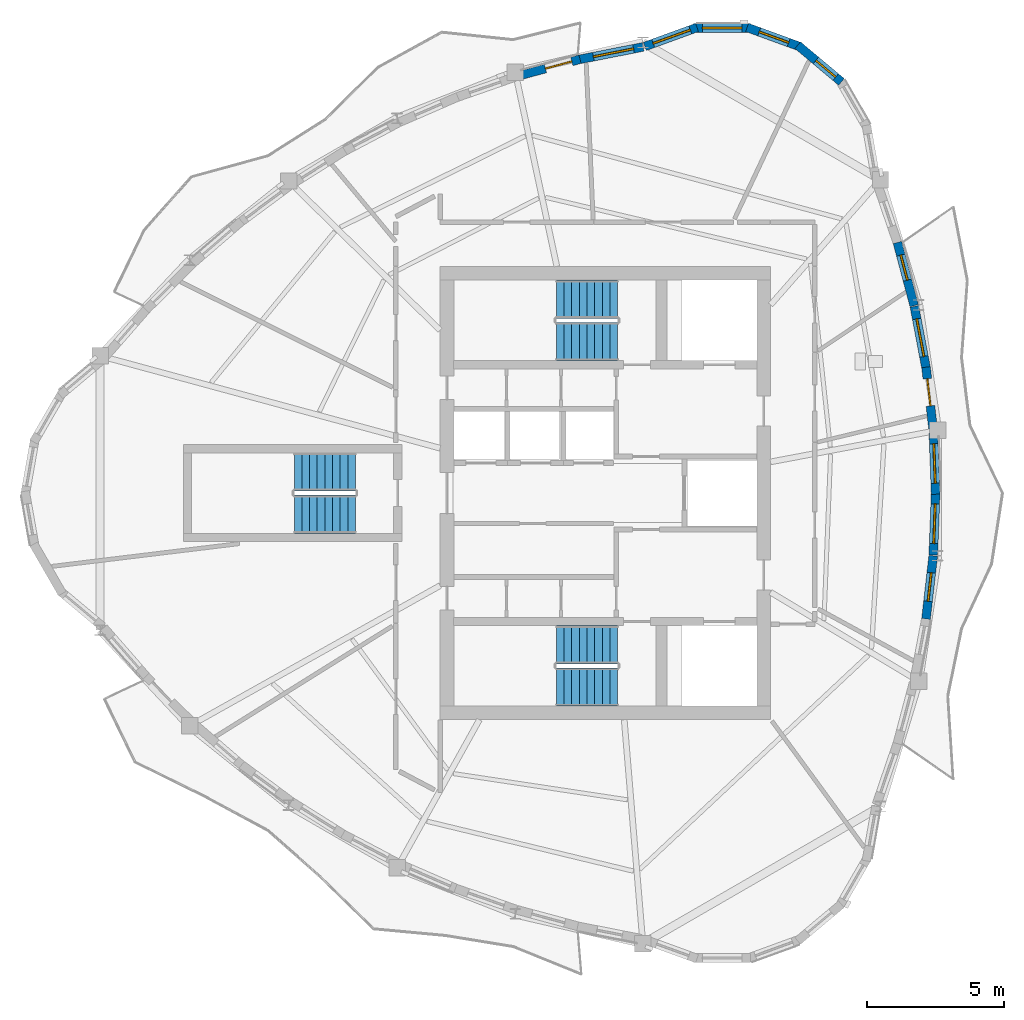
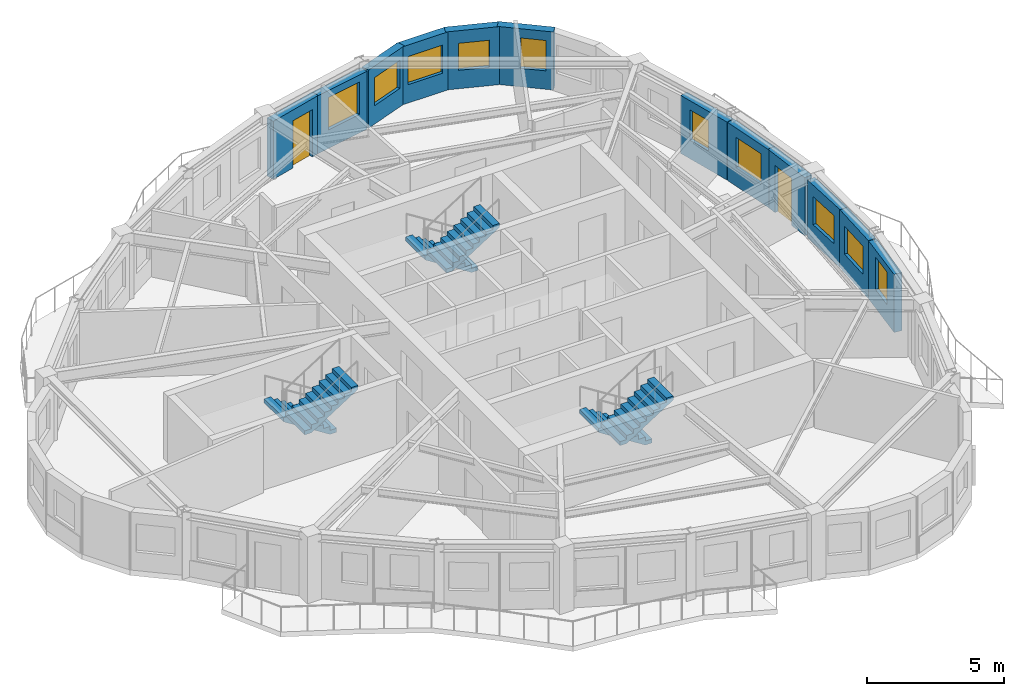
# One storey, part 7 of 11: 12 walls, 10 windows, 6 stair flights, 2 doors, 12 openings, 3 elements without a shape of their own.
"""IFC4 building model written with IfcOpenShell, lengths in metres."""

from ifc_helpers import new_model, si_unit, direction, frame, frame_2d, origin, place, context, subcontext, project, spatial, polyline, rectangle, outline, extrude, source, transform, mapped, material, layer, layer_set, type_object, element, fill, aggregate, save


model = new_model("IFC4")

# Units and contexts
model_context = context("Model", 3, precision=1e-05, world=origin(), true_north=direction((0.0, 1.0)))
body_context = subcontext(model_context, "Body", "Model", "MODEL_VIEW")
ifc_project = project(units=[si_unit("LENGTHUNIT", "METRE"), si_unit("AREAUNIT", "SQUARE_METRE"), si_unit("VOLUMEUNIT", "CUBIC_METRE"), si_unit("PLANEANGLEUNIT", "RADIAN"), si_unit("MASSUNIT", "GRAM", prefix="KILO")], contexts=[model_context])

# Site, building, storey
site_placement = place(None, origin())
site = spatial("IfcSite", under=ifc_project, at=site_placement, CompositionType="ELEMENT")
building_placement = place(site_placement, origin())
building = spatial("IfcBuilding", under=site, at=building_placement, Name="Qafzar Sky-Pleat Residences", CompositionType="ELEMENT")
storey_placement = place(building_placement, frame((0.0, 0.0, 218.0)))
storey = spatial("IfcBuildingStorey", under=building, at=storey_placement, Name="L65", CompositionType="ELEMENT", Elevation=218.0)

# Wall, opening, window
ifc_material_1 = material(Name="Precast concrete C40/50 with honed Riyadh limestone", Category="concrete")
ifc_layer = layer(ifc_material_1, 0.320068359375)
ifc_layer_set = layer_set([ifc_layer], Name="Precast concrete C40/50 with honed Riyadh limestone")
wall_type = type_object("IfcWallType", Name="WALL-EXT-320", PredefinedType="SOLIDWALL", material=ifc_layer_set)
wall_1_placement = place(storey_placement, frame((42.093017578125, 21.390380859375, 0.0), z_axis=(0.0, 0.0, 1.0), x_axis=(0.113262644001, 0.993565082656, 0.0)))
wall_1 = element("IfcWall", 1, at=wall_1_placement, inside=storey, type_object=wall_type, Name="L65 Limestone Facade Wall 26", PredefinedType="SOLIDWALL", context=body_context, shape_type="SweptSolid", body=[
    extrude(rectangle(XDim=2.327880859375, YDim=0.320068359375, at=frame_2d((1.1640625, 0.0))), origin(), (0.0, 0.0, 1.0), 2.580078125),
])
opening_1_placement = place(wall_1_placement, frame((0.64892578125, 0.0, 0.820068359375)))
opening_1 = element("IfcOpeningElement", 2, at=opening_1_placement, cuts=wall_1, Name="Opening WN-06", PredefinedType="OPENING", context=body_context, shape_type="SweptSolid", body=[
    extrude(rectangle(XDim=1.050048828125, YDim=1.449951171875, at=frame_2d((0.52490234375, 0.72509765625))), frame((0.0, 0.169921875, 0.0), z_axis=(0.0, -1.0, 0.0), x_axis=(1.0, 0.0, 0.0)), (0.0, 0.0, 1.0), 0.340087890625),
])
ifc_material_2 = material(Name="Solar-control low-E glass in bronze aluminium frame", Category="glass")
window_type_1 = type_object("IfcWindowType", Name="WIN-06", PartitioningType="SINGLE_PANEL", PredefinedType="WINDOW", material=ifc_material_2)
shared_shape_1 = source(origin(), body_context, "Body", "SweptSolid", [
    extrude(rectangle(XDim=1.050048828125, YDim=1.449951171875, at=frame_2d((0.52490234375, 0.72509765625))), frame((0.0, 0.030029296875, 0.0), z_axis=(0.0, -1.0, 0.0), x_axis=(1.0, 0.0, 0.0)), (0.0, 0.0, 1.0), 0.06005859375),
])
window_1_placement = place(opening_1_placement, origin())
window_1 = element("IfcWindow", 3, at=window_1_placement, inside=storey, type_object=window_type_1, Name="L65 Punched Facade Window 26", OverallHeight=1.449951171875, OverallWidth=1.050048828125, PartitioningType="SINGLE_PANEL", PredefinedType="WINDOW", context=body_context, shape_type="MappedRepresentation", body=[
    mapped(shared_shape_1, transform((0.0, 0.0, 0.0), x_axis=(1.0, 0.0, 0.0), y_axis=(0.0, 1.0, 0.0), z_axis=(0.0, 0.0, 1.0), scale=1.0)),
])
fill(opening_1, window_1)

wall_2_placement = place(storey_placement, frame((42.35888671875, 23.731201171875, 0.0), z_axis=(0.0, 0.0, 1.0), x_axis=(0.037975332386, 0.999278676912, 0.0)))
wall_2 = element("IfcWall", 4, at=wall_2_placement, inside=storey, type_object=wall_type, Name="L65 Limestone Facade Wall 27", PredefinedType="SOLIDWALL", context=body_context, shape_type="SweptSolid", body=[
    extrude(rectangle(XDim=2.314453125, YDim=0.320068359375, at=frame_2d((1.1572265625, 0.0))), origin(), (0.0, 0.0, 1.0), 2.580078125),
])
opening_2_placement = place(wall_2_placement, frame((0.42236328125, 0.0, 0.820068359375)))
opening_2 = element("IfcOpeningElement", 5, at=opening_2_placement, cuts=wall_2, Name="Opening WN-15", PredefinedType="OPENING", context=body_context, shape_type="SweptSolid", body=[
    extrude(rectangle(XDim=1.449951171875, YDim=1.25, at=frame_2d((0.72509765625, 0.625))), frame((0.0, 0.169921875, 0.0), z_axis=(0.0, -1.0, 0.0), x_axis=(1.0, 0.0, 0.0)), (0.0, 0.0, 1.0), 0.340087890625),
])
window_type_2 = type_object("IfcWindowType", Name="WIN-15", PartitioningType="SINGLE_PANEL", PredefinedType="WINDOW", material=ifc_material_2)
shared_shape_2 = source(origin(), body_context, "Body", "SweptSolid", [
    extrude(rectangle(XDim=1.449951171875, YDim=1.25, at=frame_2d((0.72509765625, 0.625))), frame((0.0, 0.030029296875, 0.0), z_axis=(0.0, -1.0, 0.0), x_axis=(1.0, 0.0, 0.0)), (0.0, 0.0, 1.0), 0.06005859375),
])
window_2_placement = place(opening_2_placement, origin())
window_2 = element("IfcWindow", 6, at=window_2_placement, inside=storey, type_object=window_type_2, Name="L65 Punched Facade Window 27", OverallHeight=1.25, OverallWidth=1.449951171875, PartitioningType="SINGLE_PANEL", PredefinedType="WINDOW", context=body_context, shape_type="MappedRepresentation", body=[
    mapped(shared_shape_2, transform((0.0, 0.0, 0.0), x_axis=(1.0, 0.0, 0.0), y_axis=(0.0, 1.0, 0.0), z_axis=(0.0, 0.0, 1.0), scale=1.0)),
])
fill(opening_2, window_2)

wall_3_placement = place(storey_placement, frame((42.44677734375, 25.9560546875, 0.0), z_axis=(0.0, 0.0, 1.0), x_axis=(-0.037961080573, 0.999279218418, 0.0)))
wall_3 = element("IfcWall", 7, at=wall_3_placement, inside=storey, type_object=wall_type, Name="L65 Limestone Facade Wall 28", PredefinedType="SOLIDWALL", context=body_context, shape_type="SweptSolid", body=[
    extrude(rectangle(XDim=2.24462890625, YDim=0.320068359375, at=frame_2d((1.122314453125, 0.0))), origin(), (0.0, 0.0, 1.0), 2.580078125),
])
opening_3_placement = place(wall_3_placement, frame((0.40234375, 0.0, 0.820068359375)))
opening_3 = element("IfcOpeningElement", 8, at=opening_3_placement, cuts=wall_3, Name="Opening WN-15", PredefinedType="OPENING", context=body_context, shape_type="SweptSolid", body=[
    extrude(rectangle(XDim=1.449951171875, YDim=1.25, at=frame_2d((0.72509765625, 0.625))), frame((0.0, 0.169921875, 0.0), z_axis=(0.0, -1.0, 0.0), x_axis=(1.0, 0.0, 0.0)), (0.0, 0.0, 1.0), 0.340087890625),
])
window_3_placement = place(opening_3_placement, origin())
window_3 = element("IfcWindow", 9, at=window_3_placement, inside=storey, type_object=window_type_2, Name="L65 Punched Facade Window 28", OverallHeight=1.25, OverallWidth=1.449951171875, PartitioningType="SINGLE_PANEL", PredefinedType="WINDOW", context=body_context, shape_type="MappedRepresentation", body=[
    mapped(shared_shape_2, transform((0.0, 0.0, 0.0), x_axis=(1.0, 0.0, 0.0), y_axis=(0.0, 1.0, 0.0), z_axis=(0.0, 0.0, 1.0), scale=1.0)),
])
fill(opening_3, window_3)

# Wall, opening, door
wall_4_placement = place(storey_placement, frame((42.348876953125, 28.3662109375, 0.0), z_axis=(0.0, 0.0, 1.0), x_axis=(-0.113314829757, 0.99355913229, 0.0)))
wall_4 = element("IfcWall", 10, at=wall_4_placement, inside=storey, type_object=wall_type, Name="L65 Limestone Facade Wall 29", PredefinedType="SOLIDWALL", context=body_context, shape_type="SweptSolid", body=[
    extrude(rectangle(XDim=2.258056640625, YDim=0.320068359375, at=frame_2d((1.12890625, 0.0))), origin(), (0.0, 0.0, 1.0), 2.580078125),
])
opening_4_placement = place(wall_4_placement, frame((0.830322265625, 0.0, 0.0)))
opening_4 = element("IfcOpeningElement", 11, at=opening_4_placement, cuts=wall_4, Name="Opening ED-05", PredefinedType="OPENING", context=body_context, shape_type="SweptSolid", body=[
    extrude(rectangle(XDim=1.0, YDim=2.10009765625, at=frame_2d((0.5, 1.050048828125))), frame((0.0, 0.169921875, 0.0), z_axis=(0.0, -1.0, 0.0), x_axis=(1.0, 0.0, 0.0)), (0.0, 0.0, 1.0), 0.340087890625),
])
ifc_material_3 = material(Name="Glazed bronze aluminium door", Category="aluminium")
door_type = type_object("IfcDoorType", Name="DR-BAL-1000", OperationType="NOTDEFINED", PredefinedType="DOOR", material=ifc_material_3)
shared_shape_3 = source(origin(), body_context, "Body", "SweptSolid", [
    extrude(rectangle(XDim=1.0, YDim=2.10009765625, at=frame_2d((0.5, 1.050048828125))), frame((0.0, 0.02490234375, 0.0), z_axis=(0.0, -1.0, 0.0), x_axis=(1.0, 0.0, 0.0)), (0.0, 0.0, 1.0), 0.050048828125),
])
door_1_placement = place(opening_4_placement, origin())
door_1 = element("IfcDoor", 12, at=door_1_placement, inside=storey, type_object=door_type, Name="L65 Glazed Balcony Door 1", OperationType="SINGLE_SWING_LEFT", OverallHeight=2.10009765625, OverallWidth=1.0, PredefinedType="DOOR", context=body_context, shape_type="MappedRepresentation", body=[
    mapped(shared_shape_3, transform((0.0, 0.0, 0.0), x_axis=(1.0, 0.0, 0.0), y_axis=(0.0, 1.0, 0.0), z_axis=(0.0, 0.0, 1.0), scale=1.0)),
])
fill(opening_4, door_1)

# Wall, opening, window
wall_5_placement = place(storey_placement, frame((42.106201171875, 30.522705078125, 0.0), z_axis=(0.0, 0.0, 1.0), x_axis=(-0.186673658051, 0.982421979289, 0.0)))
wall_5 = element("IfcWall", 13, at=wall_5_placement, inside=storey, type_object=wall_type, Name="L65 Limestone Facade Wall 30", PredefinedType="SOLIDWALL", context=body_context, shape_type="SweptSolid", body=[
    extrude(rectangle(XDim=2.35400390625, YDim=0.320068359375, at=frame_2d((1.177001953125, 0.0))), origin(), (0.0, 0.0, 1.0), 2.580078125),
])
opening_5_placement = place(wall_5_placement, frame((0.487060546875, 0.0, 0.820068359375)))
opening_5 = element("IfcOpeningElement", 14, at=opening_5_placement, cuts=wall_5, Name="Opening WN-10", PredefinedType="OPENING", context=body_context, shape_type="SweptSolid", body=[
    extrude(rectangle(XDim=1.39990234375, YDim=1.35009765625, at=frame_2d((0.699951171875, 0.675048828125))), frame((0.0, 0.169921875, 0.0), z_axis=(0.0, -1.0, 0.0), x_axis=(1.0, 0.0, 0.0)), (0.0, 0.0, 1.0), 0.340087890625),
])
window_type_3 = type_object("IfcWindowType", Name="WIN-10", PartitioningType="SINGLE_PANEL", PredefinedType="WINDOW", material=ifc_material_2)
shared_shape_4 = source(origin(), body_context, "Body", "SweptSolid", [
    extrude(rectangle(XDim=1.39990234375, YDim=1.35009765625, at=frame_2d((0.699951171875, 0.675048828125))), frame((0.0, 0.030029296875, 0.0), z_axis=(0.0, -1.0, 0.0), x_axis=(1.0, 0.0, 0.0)), (0.0, 0.0, 1.0), 0.06005859375),
])
window_4_placement = place(opening_5_placement, origin())
window_4 = element("IfcWindow", 15, at=window_4_placement, inside=storey, type_object=window_type_3, Name="L65 Punched Facade Window 30", OverallHeight=1.35009765625, OverallWidth=1.39990234375, PartitioningType="SINGLE_PANEL", PredefinedType="WINDOW", context=body_context, shape_type="MappedRepresentation", body=[
    mapped(shared_shape_4, transform((0.0, 0.0, 0.0), x_axis=(1.0, 0.0, 0.0), y_axis=(0.0, 1.0, 0.0), z_axis=(0.0, 0.0, 1.0), scale=1.0)),
])
fill(opening_5, window_4)

wall_6_placement = place(storey_placement, frame((41.660400390625, 32.863037109375, 0.0), z_axis=(0.0, 0.0, 1.0), x_axis=(-0.257008511659, 0.966409139513, 0.0)))
wall_6 = element("IfcWall", 16, at=wall_6_placement, inside=storey, type_object=wall_type, Name="L65 Limestone Facade Wall 31", PredefinedType="SOLIDWALL", context=body_context, shape_type="SweptSolid", body=[
    extrude(rectangle(XDim=2.392822265625, YDim=0.320068359375, at=frame_2d((1.1962890625, 0.0))), origin(), (0.0, 0.0, 1.0), 2.580078125),
])
opening_6_placement = place(wall_6_placement, frame((0.964599609375, 0.0, 0.820068359375)))
opening_6 = element("IfcOpeningElement", 17, at=opening_6_placement, cuts=wall_6, Name="Opening WN-12", PredefinedType="OPENING", context=body_context, shape_type="SweptSolid", body=[
    extrude(rectangle(XDim=0.949951171875, YDim=1.35009765625, at=frame_2d((0.47509765625, 0.675048828125))), frame((0.0, 0.169921875, 0.0), z_axis=(0.0, -1.0, 0.0), x_axis=(1.0, 0.0, 0.0)), (0.0, 0.0, 1.0), 0.340087890625),
])
window_type_4 = type_object("IfcWindowType", Name="WIN-12", PartitioningType="SINGLE_PANEL", PredefinedType="WINDOW", material=ifc_material_2)
shared_shape_5 = source(origin(), body_context, "Body", "SweptSolid", [
    extrude(rectangle(XDim=0.949951171875, YDim=1.35009765625, at=frame_2d((0.47509765625, 0.675048828125))), frame((0.0, 0.030029296875, 0.0), z_axis=(0.0, -1.0, 0.0), x_axis=(1.0, 0.0, 0.0)), (0.0, 0.0, 1.0), 0.06005859375),
])
window_5_placement = place(opening_6_placement, origin())
window_5 = element("IfcWindow", 18, at=window_5_placement, inside=storey, type_object=window_type_4, Name="L65 Punched Facade Window 31-2", OverallHeight=1.35009765625, OverallWidth=0.949951171875, PartitioningType="SINGLE_PANEL", PredefinedType="WINDOW", context=body_context, shape_type="MappedRepresentation", body=[
    mapped(shared_shape_5, transform((0.0, 0.0, 0.0), x_axis=(1.0, 0.0, 0.0), y_axis=(0.0, 1.0, 0.0), z_axis=(0.0, 0.0, 1.0), scale=1.0)),
])
fill(opening_6, window_5)

wall_7_placement = place(storey_placement, frame((38.994384765625, 41.055908203125, 0.0), z_axis=(0.0, 0.0, 1.0), x_axis=(-0.766024572719, 0.642811289563, 0.0)))
wall_7 = element("IfcWall", 19, at=wall_7_placement, inside=storey, type_object=wall_type, Name="L65 Limestone Facade Wall 35", PredefinedType="SOLIDWALL", context=body_context, shape_type="SweptSolid", body=[
    extrude(rectangle(XDim=2.09033203125, YDim=0.320068359375, at=frame_2d((1.045166015625, 0.0))), origin(), (0.0, 0.0, 1.0), 2.580078125),
])
opening_7_placement = place(wall_7_placement, frame((0.2705078125, 0.0, 0.820068359375)))
opening_7 = element("IfcOpeningElement", 20, at=opening_7_placement, cuts=wall_7, Name="Opening WN-12", PredefinedType="OPENING", context=body_context, shape_type="SweptSolid", body=[
    extrude(rectangle(XDim=0.949951171875, YDim=1.35009765625, at=frame_2d((0.47509765625, 0.675048828125))), frame((0.0, 0.169921875, 0.0), z_axis=(0.0, -1.0, 0.0), x_axis=(1.0, 0.0, 0.0)), (0.0, 0.0, 1.0), 0.340087890625),
])
window_6_placement = place(opening_7_placement, origin())
window_6 = element("IfcWindow", 21, at=window_6_placement, inside=storey, type_object=window_type_4, Name="L65 Punched Facade Window 35", OverallHeight=1.35009765625, OverallWidth=0.949951171875, PartitioningType="SINGLE_PANEL", PredefinedType="WINDOW", context=body_context, shape_type="MappedRepresentation", body=[
    mapped(shared_shape_5, transform((0.0, 0.0, 0.0), x_axis=(1.0, 0.0, 0.0), y_axis=(0.0, 1.0, 0.0), z_axis=(0.0, 0.0, 1.0), scale=1.0)),
])
fill(opening_7, window_6)

wall_8_placement = place(storey_placement, frame((37.506103515625, 42.33447265625, 0.0), z_axis=(0.0, 0.0, 1.0), x_axis=(-0.939711556618, 0.341968113072, 0.0)))
wall_8 = element("IfcWall", 22, at=wall_8_placement, inside=storey, type_object=wall_type, Name="L65 Limestone Facade Wall 36", PredefinedType="SOLIDWALL", context=body_context, shape_type="SweptSolid", body=[
    extrude(rectangle(XDim=2.09033203125, YDim=0.320068359375, at=frame_2d((1.045166015625, 0.0))), origin(), (0.0, 0.0, 1.0), 2.580078125),
])
opening_8_placement = place(wall_8_placement, frame((0.47021484375, 0.0, 0.820068359375)))
opening_8 = element("IfcOpeningElement", 23, at=opening_8_placement, cuts=wall_8, Name="Opening WN-16", PredefinedType="OPENING", context=body_context, shape_type="SweptSolid", body=[
    extrude(rectangle(XDim=1.14990234375, YDim=1.199951171875, at=frame_2d((0.574951171875, 0.60009765625))), frame((0.0, 0.169921875, 0.0), z_axis=(0.0, -1.0, 0.0), x_axis=(1.0, 0.0, 0.0)), (0.0, 0.0, 1.0), 0.340087890625),
])
window_type_5 = type_object("IfcWindowType", Name="WIN-16", PartitioningType="SINGLE_PANEL", PredefinedType="WINDOW", material=ifc_material_2)
shared_shape_6 = source(origin(), body_context, "Body", "SweptSolid", [
    extrude(rectangle(XDim=1.14990234375, YDim=1.199951171875, at=frame_2d((0.574951171875, 0.60009765625))), frame((0.0, 0.030029296875, 0.0), z_axis=(0.0, -1.0, 0.0), x_axis=(1.0, 0.0, 0.0)), (0.0, 0.0, 1.0), 0.06005859375),
])
window_7_placement = place(opening_8_placement, origin())
window_7 = element("IfcWindow", 24, at=window_7_placement, inside=storey, type_object=window_type_5, Name="L65 Punched Facade Window 36", OverallHeight=1.199951171875, OverallWidth=1.14990234375, PartitioningType="SINGLE_PANEL", PredefinedType="WINDOW", context=body_context, shape_type="MappedRepresentation", body=[
    mapped(shared_shape_6, transform((0.0, 0.0, 0.0), x_axis=(1.0, 0.0, 0.0), y_axis=(0.0, 1.0, 0.0), z_axis=(0.0, 0.0, 1.0), scale=1.0)),
])
fill(opening_8, window_7)

wall_9_placement = place(storey_placement, frame((35.670166015625, 43.026611328125, 0.0), z_axis=(0.0, 0.0, 1.0), x_axis=(-1.0, 0.0, 0.0)))
wall_9 = element("IfcWall", 25, at=wall_9_placement, inside=storey, type_object=wall_type, Name="L65 Limestone Facade Wall 37", PredefinedType="SOLIDWALL", context=body_context, shape_type="SweptSolid", body=[
    extrude(rectangle(XDim=2.09033203125, YDim=0.320068359375, at=frame_2d((1.045166015625, 0.0))), origin(), (0.0, 0.0, 1.0), 2.580078125),
])
opening_9_placement = place(wall_9_placement, frame((0.3203125, 0.0, 0.820068359375)))
opening_9 = element("IfcOpeningElement", 26, at=opening_9_placement, cuts=wall_9, Name="Opening WN-15", PredefinedType="OPENING", context=body_context, shape_type="SweptSolid", body=[
    extrude(rectangle(XDim=1.449951171875, YDim=1.25, at=frame_2d((0.72509765625, 0.625))), frame((0.0, 0.169921875, 0.0), z_axis=(0.0, -1.0, 0.0), x_axis=(1.0, 0.0, 0.0)), (0.0, 0.0, 1.0), 0.340087890625),
])
window_8_placement = place(opening_9_placement, origin())
window_8 = element("IfcWindow", 27, at=window_8_placement, inside=storey, type_object=window_type_2, Name="L65 Punched Facade Window 37", OverallHeight=1.25, OverallWidth=1.449951171875, PartitioningType="SINGLE_PANEL", PredefinedType="WINDOW", context=body_context, shape_type="MappedRepresentation", body=[
    mapped(shared_shape_2, transform((0.0, 0.0, 0.0), x_axis=(1.0, 0.0, 0.0), y_axis=(0.0, 1.0, 0.0), z_axis=(0.0, 0.0, 1.0), scale=1.0)),
])
fill(opening_9, window_8)

wall_10_placement = place(storey_placement, frame((33.708251953125, 43.04931640625, 0.0), z_axis=(0.0, 0.0, 1.0), x_axis=(-0.939691662178, -0.342022777067, 0.0)))
wall_10 = element("IfcWall", 28, at=wall_10_placement, inside=storey, type_object=wall_type, Name="L65 Limestone Facade Wall 38", PredefinedType="SOLIDWALL", context=body_context, shape_type="SweptSolid", body=[
    extrude(rectangle(XDim=2.0322265625, YDim=0.320068359375, at=frame_2d((1.01611328125, 0.0))), origin(), (0.0, 0.0, 1.0), 2.580078125),
])
opening_10_placement = place(wall_10_placement, frame((0.260986328125, 0.0, 0.820068359375)))
opening_10 = element("IfcOpeningElement", 29, at=opening_10_placement, cuts=wall_10, Name="Opening WN-15", PredefinedType="OPENING", context=body_context, shape_type="SweptSolid", body=[
    extrude(rectangle(XDim=1.449951171875, YDim=1.25, at=frame_2d((0.72509765625, 0.625))), frame((0.0, 0.169921875, 0.0), z_axis=(0.0, -1.0, 0.0), x_axis=(1.0, 0.0, 0.0)), (0.0, 0.0, 1.0), 0.340087890625),
])
window_9_placement = place(opening_10_placement, origin())
window_9 = element("IfcWindow", 30, at=window_9_placement, inside=storey, type_object=window_type_2, Name="L65 Punched Facade Window 38", OverallHeight=1.25, OverallWidth=1.449951171875, PartitioningType="SINGLE_PANEL", PredefinedType="WINDOW", context=body_context, shape_type="MappedRepresentation", body=[
    mapped(shared_shape_2, transform((0.0, 0.0, 0.0), x_axis=(1.0, 0.0, 0.0), y_axis=(0.0, 1.0, 0.0), z_axis=(0.0, 0.0, 1.0), scale=1.0)),
])
fill(opening_10, window_9)

wall_11_placement = place(storey_placement, frame((31.736083984375, 42.3369140625, 0.0), z_axis=(0.0, 0.0, 1.0), x_axis=(-0.981228566979, -0.192848384345, 0.0)))
wall_11 = element("IfcWall", 31, at=wall_11_placement, inside=storey, type_object=wall_type, Name="L65 Limestone Facade Wall 39", PredefinedType="SOLIDWALL", context=body_context, shape_type="SweptSolid", body=[
    extrude(rectangle(XDim=2.443359375, YDim=0.320068359375, at=frame_2d((1.2216796875, 0.0))), origin(), (0.0, 0.0, 1.0), 2.580078125),
])
opening_11_placement = place(wall_11_placement, frame((0.35888671875, 0.0, 0.820068359375)))
opening_11 = element("IfcOpeningElement", 32, at=opening_11_placement, cuts=wall_11, Name="Opening WN-03", PredefinedType="OPENING", context=body_context, shape_type="SweptSolid", body=[
    extrude(rectangle(XDim=1.5, YDim=1.449951171875, at=frame_2d((0.75, 0.72509765625))), frame((0.0, 0.169921875, 0.0), z_axis=(0.0, -1.0, 0.0), x_axis=(1.0, 0.0, 0.0)), (0.0, 0.0, 1.0), 0.340087890625),
])
window_type_6 = type_object("IfcWindowType", Name="WIN-03", PartitioningType="DOUBLE_PANEL_VERTICAL", PredefinedType="WINDOW", material=ifc_material_2)
shared_shape_7 = source(origin(), body_context, "Body", "SweptSolid", [
    extrude(rectangle(XDim=1.5, YDim=1.449951171875, at=frame_2d((0.75, 0.72509765625))), frame((0.0, 0.030029296875, 0.0), z_axis=(0.0, -1.0, 0.0), x_axis=(1.0, 0.0, 0.0)), (0.0, 0.0, 1.0), 0.06005859375),
])
window_10_placement = place(opening_11_placement, origin())
window_10 = element("IfcWindow", 33, at=window_10_placement, inside=storey, type_object=window_type_6, Name="L65 Punched Facade Window 39", OverallHeight=1.449951171875, OverallWidth=1.5, PartitioningType="SINGLE_PANEL", PredefinedType="WINDOW", context=body_context, shape_type="MappedRepresentation", body=[
    mapped(shared_shape_7, transform((0.0, 0.0, 0.0), x_axis=(1.0, 0.0, 0.0), y_axis=(0.0, 1.0, 0.0), z_axis=(0.0, 0.0, 1.0), scale=1.0)),
])
fill(opening_11, window_10)

# Wall, opening, door
wall_12_placement = place(storey_placement, frame((29.423583984375, 41.885498046875, 0.0), z_axis=(0.0, 0.0, 1.0), x_axis=(-0.965461343217, -0.260546338976, 0.0)))
wall_12 = element("IfcWall", 34, at=wall_12_placement, inside=storey, type_object=wall_type, Name="L65 Limestone Facade Wall 40", PredefinedType="SOLIDWALL", context=body_context, shape_type="SweptSolid", body=[
    extrude(rectangle(XDim=2.322998046875, YDim=0.320068359375, at=frame_2d((1.16162109375, 0.0))), origin(), (0.0, 0.0, 1.0), 2.580078125),
])
opening_12_placement = place(wall_12_placement, frame((0.31298828125, 0.0, 0.0)))
opening_12 = element("IfcOpeningElement", 35, at=opening_12_placement, cuts=wall_12, Name="Opening ED-05", PredefinedType="OPENING", context=body_context, shape_type="SweptSolid", body=[
    extrude(rectangle(XDim=1.0, YDim=2.10009765625, at=frame_2d((0.5, 1.050048828125))), frame((0.0, 0.169921875, 0.0), z_axis=(0.0, -1.0, 0.0), x_axis=(1.0, 0.0, 0.0)), (0.0, 0.0, 1.0), 0.340087890625),
])
door_2_placement = place(opening_12_placement, origin())
door_2 = element("IfcDoor", 36, at=door_2_placement, inside=storey, type_object=door_type, Name="L65 Glazed Balcony Door 2", OperationType="SINGLE_SWING_LEFT", OverallHeight=2.10009765625, OverallWidth=1.0, PredefinedType="DOOR", context=body_context, shape_type="MappedRepresentation", body=[
    mapped(shared_shape_3, transform((0.0, 0.0, 0.0), x_axis=(1.0, 0.0, 0.0), y_axis=(0.0, 1.0, 0.0), z_axis=(0.0, 0.0, 1.0), scale=1.0)),
])
fill(opening_12, door_2)

# Stair, stair flights
ifc_material_4 = material(Name="Concrete C40/50", Category="concrete")
stair_type = type_object("IfcStairType", Name="STAIR-H320", PredefinedType="HALF_TURN_STAIR", material=ifc_material_4)
stair_1_placement = place(storey_placement, origin())
stair_1 = element("IfcStair", 37, at=stair_1_placement, inside=storey, type_object=stair_type, Name="L65 Protected Exit Stair ST1", PredefinedType="HALF_TURN_STAIR")
stair_flight_type = type_object("IfcStairFlightType", Name="FLIGHT-H320", PredefinedType="STRAIGHT", material=ifc_material_4)
shared_shape_8 = source(origin(), body_context, "Body", "SweptSolid", [
    extrude(outline(polyline([(0.0, 0.0), (0.0, 0.177734375), (0.280029296875, 0.177734375), (0.280029296875, 0.35546875), (0.56005859375, 0.35546875), (0.56005859375, 0.533447265625), (0.840087890625, 0.533447265625), (0.840087890625, 0.711181640625), (1.1201171875, 0.711181640625), (1.1201171875, 0.888916015625), (1.39990234375, 0.888916015625), (1.39990234375, 1.066650390625), (1.679931640625, 1.066650390625), (1.679931640625, 1.244384765625), (1.9599609375, 1.244384765625), (1.9599609375, 1.422119140625), (2.239990234375, 1.422119140625), (2.239990234375, 1.60009765625), (2.239990234375, 1.24462890625), (0.27978515625, 0.0), (0.0, 0.0)])), frame((0.0, 0.699951171875, 0.0), z_axis=(0.0, -1.0, 0.0), x_axis=(1.0, 0.0, 0.0)), (0.0, 0.0, 1.0), 1.39990234375),
])
stair_flight_1_placement = place(storey_placement, frame((30.800048828125, 20.449951171875, 0.0), z_axis=(0.0, 0.0, 1.0), x_axis=(-1.0, 0.0, 0.0)))
stair_flight_1 = element("IfcStairFlight", 38, at=stair_flight_1_placement, type_object=stair_flight_type, Name="ST1 flight 1", NumberOfRisers=9, NumberOfTreads=8, PredefinedType="STRAIGHT", RiserHeight=0.177777778, TreadLength=0.28, context=body_context, shape_type="MappedRepresentation", body=[
    mapped(shared_shape_8, transform((0.0, 0.0, 0.0), x_axis=(1.0, 0.0, 0.0), y_axis=(0.0, 1.0, 0.0), z_axis=(0.0, 0.0, 1.0), scale=1.0)),
])
stair_flight_2_placement = place(storey_placement, frame((28.56005859375, 18.89990234375, 1.60009765625), z_axis=(0.0, 0.0, 1.0), x_axis=(1.0, 0.0, 0.0)))
stair_flight_2 = element("IfcStairFlight", 39, at=stair_flight_2_placement, type_object=stair_flight_type, Name="ST1 flight 2", NumberOfRisers=9, NumberOfTreads=8, PredefinedType="STRAIGHT", RiserHeight=0.177777778, TreadLength=0.28, context=body_context, shape_type="MappedRepresentation", body=[
    mapped(shared_shape_8, transform((0.0, 0.0, 0.0), x_axis=(1.0, 0.0, 0.0), y_axis=(0.0, 1.0, 0.0), z_axis=(0.0, 0.0, 1.0), scale=1.0)),
])
aggregate(stair_1, [stair_flight_1, stair_flight_2])

stair_2_placement = place(storey_placement, origin())
stair_2 = element("IfcStair", 40, at=stair_2_placement, inside=storey, type_object=stair_type, Name="L65 Protected Exit Stair ST2", PredefinedType="HALF_TURN_STAIR")
stair_flight_3_placement = place(storey_placement, frame((30.800048828125, 33.10009765625, 0.0), z_axis=(0.0, 0.0, 1.0), x_axis=(-1.0, 0.0, 0.0)))
stair_flight_3 = element("IfcStairFlight", 41, at=stair_flight_3_placement, type_object=stair_flight_type, Name="ST2 flight 1", NumberOfRisers=9, NumberOfTreads=8, PredefinedType="STRAIGHT", RiserHeight=0.177777778, TreadLength=0.28, context=body_context, shape_type="MappedRepresentation", body=[
    mapped(shared_shape_8, transform((0.0, 0.0, 0.0), x_axis=(1.0, 0.0, 0.0), y_axis=(0.0, 1.0, 0.0), z_axis=(0.0, 0.0, 1.0), scale=1.0)),
])
stair_flight_4_placement = place(storey_placement, frame((28.56005859375, 31.550048828125, 1.60009765625), z_axis=(0.0, 0.0, 1.0), x_axis=(1.0, 0.0, 0.0)))
stair_flight_4 = element("IfcStairFlight", 42, at=stair_flight_4_placement, type_object=stair_flight_type, Name="ST2 flight 2", NumberOfRisers=9, NumberOfTreads=8, PredefinedType="STRAIGHT", RiserHeight=0.177777778, TreadLength=0.28, context=body_context, shape_type="MappedRepresentation", body=[
    mapped(shared_shape_8, transform((0.0, 0.0, 0.0), x_axis=(1.0, 0.0, 0.0), y_axis=(0.0, 1.0, 0.0), z_axis=(0.0, 0.0, 1.0), scale=1.0)),
])
aggregate(stair_2, [stair_flight_3, stair_flight_4])

stair_3_placement = place(storey_placement, origin())
stair_3 = element("IfcStair", 43, at=stair_3_placement, inside=storey, type_object=stair_type, Name="L65 Protected Exit Stair ST3", PredefinedType="HALF_TURN_STAIR")
stair_flight_5_placement = place(storey_placement, frame((21.199951171875, 26.77490234375, 0.0), z_axis=(0.0, 0.0, 1.0), x_axis=(-1.0, 0.0, 0.0)))
stair_flight_5 = element("IfcStairFlight", 44, at=stair_flight_5_placement, type_object=stair_flight_type, Name="ST3 flight 1", NumberOfRisers=9, NumberOfTreads=8, PredefinedType="STRAIGHT", RiserHeight=0.177777778, TreadLength=0.28, context=body_context, shape_type="MappedRepresentation", body=[
    mapped(shared_shape_8, transform((0.0, 0.0, 0.0), x_axis=(1.0, 0.0, 0.0), y_axis=(0.0, 1.0, 0.0), z_axis=(0.0, 0.0, 1.0), scale=1.0)),
])
stair_flight_6_placement = place(storey_placement, frame((18.9599609375, 25.22509765625, 1.60009765625), z_axis=(0.0, 0.0, 1.0), x_axis=(1.0, 0.0, 0.0)))
stair_flight_6 = element("IfcStairFlight", 45, at=stair_flight_6_placement, type_object=stair_flight_type, Name="ST3 flight 2", NumberOfRisers=9, NumberOfTreads=8, PredefinedType="STRAIGHT", RiserHeight=0.177777778, TreadLength=0.28, context=body_context, shape_type="MappedRepresentation", body=[
    mapped(shared_shape_8, transform((0.0, 0.0, 0.0), x_axis=(1.0, 0.0, 0.0), y_axis=(0.0, 1.0, 0.0), z_axis=(0.0, 0.0, 1.0), scale=1.0)),
])
aggregate(stair_3, [stair_flight_5, stair_flight_6])

save(model, "model.ifc")
